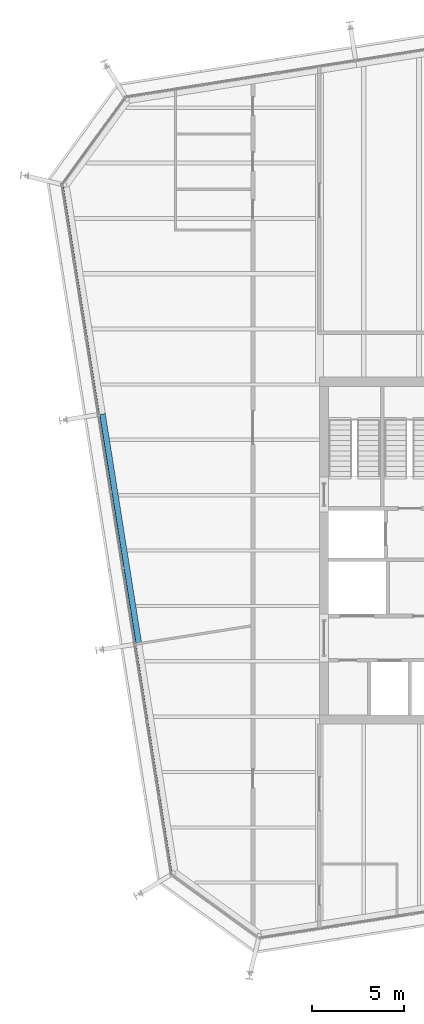
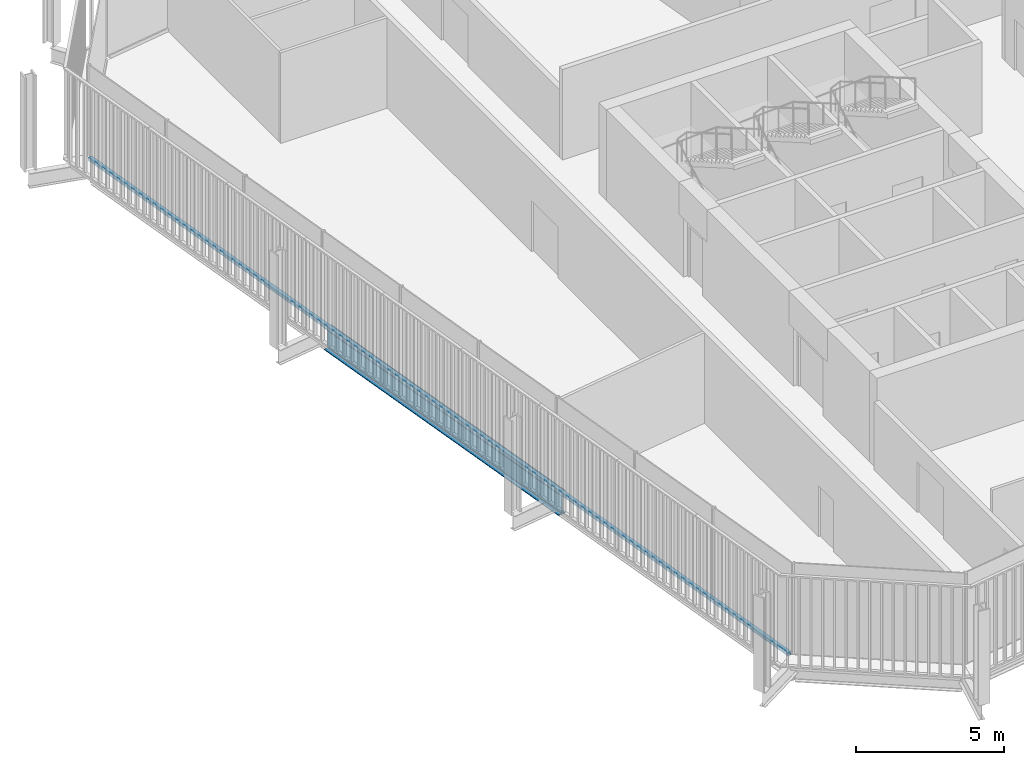
# One storey, part 5 of 20: 1 beam, 1 member, 1 element without a shape of its own.
"""IFC4 building model written with IfcOpenShell, lengths in metres."""

import ifcopenshell
import ifcopenshell.guid

model = None  # the IFC model being written
_history = None  # IfcOwnerHistory: only IFC2X3 demands one
_inside = {}  # id of a spatial element -> (the spatial element, [elements in it])
_under = {}  # id of a project, library or spatial element -> (it, [spatial elements below it])
_declared = {}  # id of a project -> (the project, [libraries it declares])
_typed = {}  # id of a type object -> (the type object, [elements of that type])
_made_of = {}  # id of a material, layer set ... -> (it, [elements and type objects made of it])


def new_model(schema):
    """Start an empty IFC model of exactly this schema.

    Asked for "IFC4X3", IfcOpenShell would pick the latest addendum, in which some entities
    have other attributes; the version numbers below select the first issue.
    IFC2X3 requires an IfcOwnerHistory on every rooted entity: one is made here for all.
    """
    global model, _history
    if schema == "IFC4X3":
        model = ifcopenshell.file(schema_version=(4, 3, 0, 0))
    else:
        model = ifcopenshell.file(schema=schema)
    _inside.clear()
    _under.clear()
    _declared.clear()
    _typed.clear()
    _made_of.clear()
    _history = None
    if model.schema == "IFC2X3":
        org = make("IfcOrganization", Name="unknown")
        user = make(
            "IfcPersonAndOrganization",
            ThePerson=make("IfcPerson", FamilyName="unknown"),
            TheOrganization=org,
        )
        app = make(
            "IfcApplication",
            ApplicationDeveloper=org,
            Version="unknown",
            ApplicationFullName="unknown",
            ApplicationIdentifier="unknown",
        )
        _history = make(
            "IfcOwnerHistory",
            OwningUser=user,
            OwningApplication=app,
            ChangeAction="ADDED",
            CreationDate=0,
        )
    return model


def make(cls, **values):
    """One entity of the class cls with the attributes given. An attribute that is None is left unset."""
    return model.create_entity(
        cls, **{name: value for name, value in values.items() if value is not None}
    )


def rooted(cls, **values):
    """An entity with a GlobalId (a new one), such as an element, a storey or a relation."""
    return make(cls, GlobalId=ifcopenshell.guid.new(), OwnerHistory=_history, **values)


def si_unit(unit_type, name, prefix=None):
    """IfcSIUnit, for example si_unit("LENGTHUNIT", "METRE", prefix="MILLI")."""
    return make("IfcSIUnit", UnitType=unit_type, Prefix=prefix, Name=name)


def assignment(units):
    """IfcUnitAssignment: the units of a project."""
    return None if units is None else make("IfcUnitAssignment", Units=units)


def point(xyz):
    """IfcCartesianPoint."""
    return None if xyz is None else make("IfcCartesianPoint", Coordinates=xyz)


def direction(xyz):
    """IfcDirection."""
    return None if xyz is None else make("IfcDirection", DirectionRatios=xyz)


def frame(location, z_axis=None, x_axis=None):
    """IfcAxis2Placement3D, a coordinate frame: its origin and axes. An axis left out is left unset."""
    return make(
        "IfcAxis2Placement3D",
        Location=point(location),
        Axis=direction(z_axis),
        RefDirection=direction(x_axis),
    )


def frame_2d(location, x_axis=None):
    """IfcAxis2Placement2D, a coordinate frame in the plane: its origin and x axis."""
    return make(
        "IfcAxis2Placement2D", Location=point(location), RefDirection=direction(x_axis)
    )


def origin():
    """The frame at (0, 0, 0) with its axes left unset."""
    return frame((0.0, 0.0, 0.0))


def origin_2d():
    """The frame at (0, 0) in the plane with its x axis left unset."""
    return frame_2d((0.0, 0.0))


def place(relative_to, where):
    """IfcLocalPlacement: puts the frame where relative to a parent placement (None: the world)."""
    return make(
        "IfcLocalPlacement", PlacementRelTo=relative_to, RelativePlacement=where
    )


def context(
    kind, dimensions, precision=None, world=None, true_north=None, identifier=None
):
    """IfcGeometricRepresentationContext, for example the 3D "Model" context."""
    return make(
        "IfcGeometricRepresentationContext",
        ContextIdentifier=identifier,
        ContextType=kind,
        CoordinateSpaceDimension=dimensions,
        Precision=precision,
        WorldCoordinateSystem=world,
        TrueNorth=true_north,
    )


def subcontext(parent, identifier, kind, view, scale=None):
    """IfcGeometricRepresentationSubContext, for example "Body" below "Model"."""
    return make(
        "IfcGeometricRepresentationSubContext",
        ContextIdentifier=identifier,
        ContextType=kind,
        ParentContext=parent,
        TargetScale=scale,
        TargetView=view,
    )


def project(units=None, contexts=None):
    """IfcProject with its units and contexts."""
    return rooted(
        "IfcProject",
        Name="project",
        RepresentationContexts=contexts,
        UnitsInContext=assignment(units),
    )


def spatial(cls, under=None, at=None, **own):
    """A site, building, storey or space (cls), placed at a placement, below another one or the project."""
    s = rooted(cls, ObjectPlacement=at, **own)
    if under is not None:
        _under.setdefault(under.id(), (under, []))[1].append(s)
    return s


def profile(cls, at=None, kind="AREA", **sizes):
    """A parametric profile (cls). Its sizes go by their IFC names, for example OverallWidth=200.0."""
    return make(cls, ProfileType=kind, Position=at, **sizes)


def rectangle(**sizes):
    """IfcRectangleProfileDef."""
    return profile("IfcRectangleProfileDef", **sizes)


def i_section(**sizes):
    """IfcIShapeProfileDef."""
    return profile("IfcIShapeProfileDef", **sizes)


def extrude(swept, where, along, depth):
    """IfcExtrudedAreaSolid: the profile swept, set in the frame where, extruded along a direction by depth."""
    return make(
        "IfcExtrudedAreaSolid",
        SweptArea=swept,
        Position=where,
        ExtrudedDirection=direction(along),
        Depth=depth,
    )


def shape(context_of_items, identifier, shape_type, items):
    """IfcShapeRepresentation: the items that make up one representation, for example the "Body"."""
    return make(
        "IfcShapeRepresentation",
        ContextOfItems=context_of_items,
        RepresentationIdentifier=identifier,
        RepresentationType=shape_type,
        Items=items,
    )


def material(Name=None, Category=None):
    """IfcMaterial."""
    return make("IfcMaterial", Name=Name, Category=Category)


def layer(
    of_material, thickness, ventilated=None, Name=None, Category=None, Priority=None
):
    """IfcMaterialLayer: one layer of a wall or slab, of a material (None: an air gap)."""
    return make(
        "IfcMaterialLayer",
        Material=of_material,
        LayerThickness=thickness,
        IsVentilated=ventilated,
        Name=Name,
        Category=Category,
        Priority=Priority,
    )


def layer_set(layers, Name=None):
    """IfcMaterialLayerSet."""
    return make("IfcMaterialLayerSet", MaterialLayers=layers, LayerSetName=Name)


def material_profile(
    of_material, cross_section, Name=None, Category=None, Priority=None
):
    """IfcMaterialProfile: a cross section and its material."""
    return make(
        "IfcMaterialProfile",
        Name=Name,
        Material=of_material,
        Profile=cross_section,
        Priority=Priority,
        Category=Category,
    )


def profile_set(profiles, Name=None, composite=None):
    """IfcMaterialProfileSet."""
    return make(
        "IfcMaterialProfileSet",
        Name=Name,
        MaterialProfiles=profiles,
        CompositeProfile=composite,
    )


def made_of(thing, what):
    """Note that an element or type object is made of a material, layer set ...; save() writes the relation."""
    if what is not None:
        _made_of.setdefault(what.id(), (what, []))[1].append(thing)
    return thing


def type_object(cls, material=None, **own):
    """A type object (cls), such as IfcWallType, which elements share."""
    return made_of(rooted(cls, **own), material)


def element(
    cls,
    number,
    at=None,
    inside=None,
    cuts=None,
    type_object=None,
    material=None,
    context=None,
    identifier="Body",
    shape_type=None,
    held_by="IfcProductDefinitionShape",
    body=None,
    shapes=None,
    **own,
):
    """One element of the class cls, such as IfcWall. Its Tag is "e" and its number.

    at: its placement. inside: the storey or other place that contains it. cuts: it is an
    opening in that element (IfcRelVoidsElement). A single representation is given by context,
    identifier, shape_type and body (its items); several are given by shapes. held_by: the class
    of the entity that holds the representations. save() writes the other relations.
    """
    e = rooted(cls, Tag="e%d" % number, ObjectPlacement=at, **own)
    if body is not None:
        shapes = [shape(context, identifier, shape_type, body)]
    if shapes is not None:
        e.Representation = make(held_by, Representations=shapes)
    if inside is not None:
        _inside.setdefault(inside.id(), (inside, []))[1].append(e)
    if cuts is not None:
        rooted(
            "IfcRelVoidsElement", RelatingBuildingElement=cuts, RelatedOpeningElement=e
        )
    if type_object is not None:
        _typed.setdefault(type_object.id(), (type_object, []))[1].append(e)
    return made_of(e, material)


def aggregate(whole, parts):
    """IfcRelAggregates: a whole, such as a stair, and the parts it consists of."""
    return rooted("IfcRelAggregates", RelatingObject=whole, RelatedObjects=parts)


def save(model, path):
    """Write the relations noted so far, then the file.

    IfcRelAggregates (storeys below a building ...), IfcRelContainedInSpatialStructure (elements
    in a storey), IfcRelDefinesByType, IfcRelAssociatesMaterial and IfcRelDeclares: one each for
    every whole, place, type object, material and project.
    """
    for whole, parts in _under.values():
        aggregate(whole, parts)
    for where, things in _inside.values():
        rooted(
            "IfcRelContainedInSpatialStructure",
            RelatedElements=things,
            RelatingStructure=where,
        )
    for kind, things in _typed.values():
        rooted("IfcRelDefinesByType", RelatedObjects=things, RelatingType=kind)
    for what, things in _made_of.values():
        rooted("IfcRelAssociatesMaterial", RelatedObjects=things, RelatingMaterial=what)
    for by, libraries in _declared.values():
        rooted("IfcRelDeclares", RelatingContext=by, RelatedDefinitions=libraries)
    model.write(path)


model = new_model("IFC4")

# Units and contexts
model_context = context("Model", 3, precision=1e-05, world=origin(), true_north=direction((0.0, 1.0)))
body_context = subcontext(model_context, "Body", "Model", "MODEL_VIEW")
ifc_project = project(units=[si_unit("LENGTHUNIT", "METRE"), si_unit("AREAUNIT", "SQUARE_METRE"), si_unit("VOLUMEUNIT", "CUBIC_METRE"), si_unit("PLANEANGLEUNIT", "RADIAN"), si_unit("MASSUNIT", "GRAM", prefix="KILO")], contexts=[model_context])

# Site, building, storey
site_placement = place(None, origin())
site = spatial("IfcSite", under=ifc_project, at=site_placement, CompositionType="ELEMENT")
building_placement = place(site_placement, origin())
building = spatial("IfcBuilding", under=site, at=building_placement, Name="Millrace Tower", CompositionType="ELEMENT")
storey_placement = place(building_placement, frame((0.0, 0.0, 251.300048828125)))
storey = spatial("IfcBuildingStorey", under=building, at=storey_placement, Name="L57", CompositionType="ELEMENT", Elevation=251.300048828125)

# Curtain wall, member
ifc_material_1 = material(Name="Aluminium and glass", Category="aluminium")
ifc_layer = layer(ifc_material_1, 0.14990234375)
ifc_layer_set = layer_set([ifc_layer], Name="Aluminium and glass")
curtain_wall_type = type_object("IfcCurtainWallType", Name="CW-1 office vision curtain wall", PredefinedType="NOTDEFINED", material=ifc_layer_set)
curtain_wall_placement = place(storey_placement, origin())
curtain_wall = element("IfcCurtainWall", 1, at=curtain_wall_placement, inside=storey, type_object=curtain_wall_type, Name="Curtain wall D-F08 L57", PredefinedType="NOTDEFINED")
ifc_material_2 = material(Name="Aluminium", Category="aluminium")
ifc_material_profile_1 = material_profile(ifc_material_2, rectangle(XDim=0.14990234375, YDim=0.139892578125, at=origin_2d()))
ifc_profile_set_1 = profile_set([ifc_material_profile_1], Name="Aluminium")
member_type = type_object("IfcMemberType", Name="CW-1 office vision curtain wall transom", PredefinedType="USERDEFINED", material=ifc_profile_set_1)
member_placement = place(storey_placement, frame((-28.331787109375, 19.708740234375, 0.070068359375), z_axis=(0.156432359726, -0.987688674042, 0.0), x_axis=(0.987688674042, 0.156432359726, 0.0)))
member = element("IfcMember", 2, at=member_placement, type_object=member_type, Name="CW1 transom D-F08.1", ObjectType="TRANSOM", PredefinedType="USERDEFINED", context=body_context, shape_type="SweptSolid", body=[
    extrude(rectangle(XDim=0.14990234375, YDim=0.139892578125, at=origin_2d()), origin(), (0.0, 0.0, 1.0), 37.599853515625),
])
aggregate(curtain_wall, [member])

# Beam
ifc_material_3 = material(Name="Steel ASTM A992 Grade 50", Category="steel")
ifc_material_profile_2 = material_profile(ifc_material_3, i_section(OverallWidth=0.307373046875, OverallDepth=0.927001953125, WebThickness=0.01953125, FlangeThickness=0.031982421875, FilletRadius=0.01904296875, at=origin_2d()))
ifc_profile_set_2 = profile_set([ifc_material_profile_2], Name="Steel ASTM A992 Grade 50")
beam_type = type_object("IfcBeamType", Name="Ring beam medium span W36x194", PredefinedType="SPANDREL", material=ifc_profile_set_2)
beam_placement = place(storey_placement, frame((-24.179443359375, -5.04638671875, -0.62353515625), z_axis=(-0.1564441342, 0.987686809102, 0.0), x_axis=(-0.987686809102, -0.1564441342, 0.0)))
element("IfcBeam", 3, at=beam_placement, inside=storey, type_object=beam_type, Name="RNG-D-L57-S1-02", PredefinedType="SPANDREL", context=body_context, shape_type="SweptSolid", body=[
    extrude(i_section(OverallWidth=0.307373046875, OverallDepth=0.927001953125, WebThickness=0.01953125, FlangeThickness=0.031982421875, FilletRadius=0.01904296875, at=origin_2d()), origin(), (0.0, 0.0, 1.0), 12.599853515625),
])

save(model, "model.ifc")
